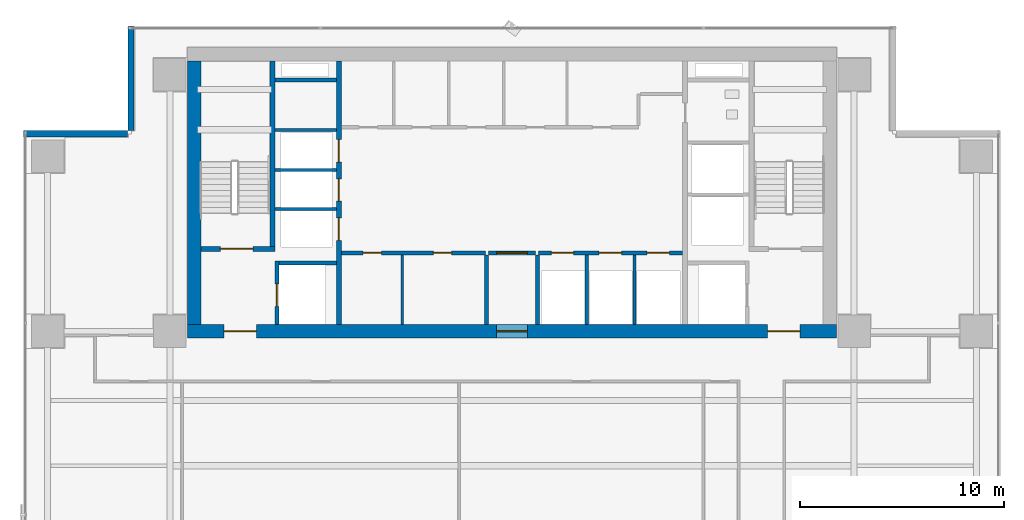
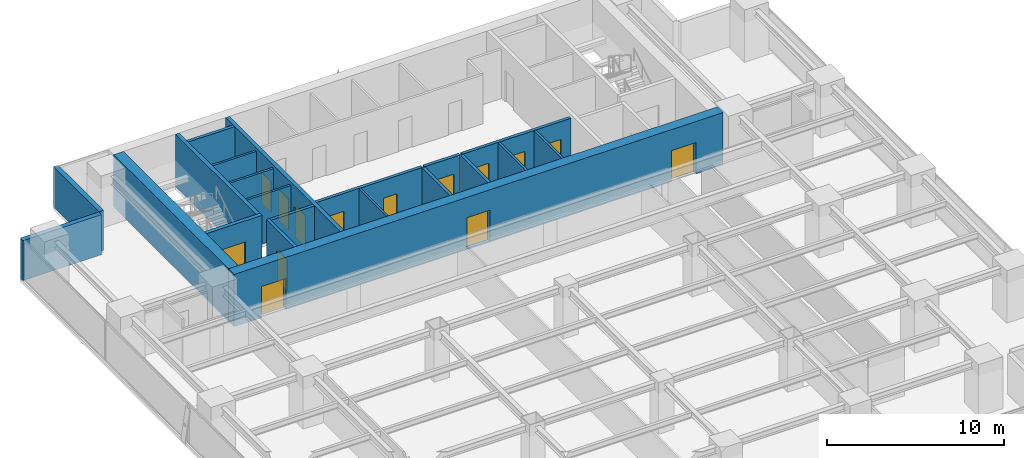
# One storey, part 21 of 27: 21 walls, 14 doors, 14 openings.
"""IFC4 building model written with IfcOpenShell, lengths in metres."""

from ifc_helpers import new_model, si_unit, direction, frame, frame_2d, origin, place, context, subcontext, project, spatial, rectangle, extrude, source, transform, mapped, material, layer, layer_set, type_object, element, fill, save


model = new_model("IFC4")

# Units and contexts
model_context = context("Model", 3, precision=1e-05, world=origin(), true_north=direction((0.0, 1.0)))
body_context = subcontext(model_context, "Body", "Model", "MODEL_VIEW")
ifc_project = project(units=[si_unit("LENGTHUNIT", "METRE"), si_unit("AREAUNIT", "SQUARE_METRE"), si_unit("VOLUMEUNIT", "CUBIC_METRE"), si_unit("PLANEANGLEUNIT", "RADIAN"), si_unit("MASSUNIT", "GRAM", prefix="KILO")], contexts=[model_context])

# Site, building, storey
site_placement = place(None, origin())
site = spatial("IfcSite", under=ifc_project, at=site_placement, CompositionType="ELEMENT")
building_placement = place(site_placement, origin())
building = spatial("IfcBuilding", under=site, at=building_placement, Name="Sumidabori Civic Tower", CompositionType="ELEMENT")
storey_placement = place(building_placement, frame((0.0, 0.0, 142.39990234375)))
storey = spatial("IfcBuildingStorey", under=building, at=storey_placement, Name="L36", CompositionType="ELEMENT", Elevation=142.39990234375)

# Walls
ifc_material_1 = material(Name="Concrete C50/60", Category="concrete")
ifc_layer_1 = layer(ifc_material_1, 0.199951171875, Name="Concrete C50/60")
ifc_layer_set_1 = layer_set([ifc_layer_1], Name="Concrete C50/60")
wall_type_1 = type_object("IfcWallType", Name="WL-SHAFT-200", PredefinedType="SHEAR", material=ifc_layer_set_1)
shared_shape_1 = source(origin(), body_context, "Body", "SweptSolid", [
    extrude(rectangle(XDim=2.824951171875, YDim=0.199951171875, at=frame_2d((1.41259765625, 0.0))), origin(), (0.0, 0.0, 1.0), 3.60009765625),
])
wall_1_placement = place(storey_placement, frame((-11.449951171875, 13.550048828125, 0.0), z_axis=(0.0, 0.0, 1.0), x_axis=(1.0, 0.0, 0.0)))
element("IfcWall", 1, at=wall_1_placement, inside=storey, type_object=wall_type_1, Name="Core Shear Wall L36 EL1-N", PredefinedType="SHEAR", context=body_context, shape_type="MappedRepresentation", body=[
    mapped(shared_shape_1, transform((0.0, 0.0, 0.0), x_axis=(1.0, 0.0, 0.0), y_axis=(0.0, 1.0, 0.0), z_axis=(0.0, 0.0, 1.0), scale=1.0)),
])
shared_shape_2 = source(origin(), body_context, "Body", "SweptSolid", [
    extrude(rectangle(XDim=3.02001953125, YDim=0.199951171875, at=frame_2d((1.510009765625, 0.0))), origin(), (0.0, 0.0, 1.0), 3.60009765625),
])
wall_2_placement = place(storey_placement, frame((-11.64501953125, 22.550048828125, 0.0), z_axis=(0.0, 0.0, 1.0), x_axis=(1.0, 0.0, 0.0)))
element("IfcWall", 2, at=wall_2_placement, inside=storey, type_object=wall_type_1, Name="Core Shear Wall L36 RIS1-S", PredefinedType="SHEAR", context=body_context, shape_type="MappedRepresentation", body=[
    mapped(shared_shape_2, transform((0.0, 0.0, 0.0), x_axis=(1.0, 0.0, 0.0), y_axis=(0.0, 1.0, 0.0), z_axis=(0.0, 0.0, 1.0), scale=1.0)),
])

# Wall, openings, doors
ifc_material_2 = material(Name="Concrete C60/75", Category="concrete")
ifc_layer_2 = layer(ifc_material_2, 0.64990234375, Name="Concrete C60/75")
ifc_layer_set_2 = layer_set([ifc_layer_2], Name="Concrete C60/75")
wall_type_2 = type_object("IfcWallType", Name="WL-CORE-650", PredefinedType="SHEAR", material=ifc_layer_set_2)
shared_shape_3 = source(origin(), body_context, "Body", "SweptSolid", [
    extrude(rectangle(XDim=31.85009765625, YDim=0.64990234375, at=frame_2d((15.925048828125, 0.0))), origin(), (0.0, 0.0, 1.0), 3.60009765625),
])
wall_3_placement = place(storey_placement, frame((-15.925048828125, 10.199951171875, 0.0), z_axis=(0.0, 0.0, 1.0), x_axis=(1.0, 0.0, 0.0)))
wall_3 = element("IfcWall", 3, at=wall_3_placement, inside=storey, type_object=wall_type_2, Name="Core Shear Wall L36 S", PredefinedType="SHEAR", context=body_context, shape_type="MappedRepresentation", body=[
    mapped(shared_shape_3, transform((0.0, 0.0, 0.0), x_axis=(1.0, 0.0, 0.0), y_axis=(0.0, 1.0, 0.0), z_axis=(0.0, 0.0, 1.0), scale=1.0)),
])
opening_1_placement = place(wall_3_placement, frame((1.77490234375, 0.0, 0.0)))
opening_1 = element("IfcOpeningElement", 4, at=opening_1_placement, cuts=wall_3, Name="Opening DR-FD4", PredefinedType="OPENING", context=body_context, shape_type="SweptSolid", body=[
    extrude(rectangle(XDim=1.60009765625, YDim=2.14990234375, at=frame_2d((0.800048828125, 1.074951171875))), frame((0.0, 0.3369140625, 0.0), z_axis=(0.0, -1.0, 0.0), x_axis=(1.0, 0.0, 0.0)), (0.0, 0.0, 1.0), 0.673828125),
])
opening_2_placement = place(wall_3_placement, frame((28.47509765625, 0.0, 0.0)))
opening_2 = element("IfcOpeningElement", 5, at=opening_2_placement, cuts=wall_3, Name="Opening DR-FD4", PredefinedType="OPENING", context=body_context, shape_type="SweptSolid", body=[
    extrude(rectangle(XDim=1.60009765625, YDim=2.14990234375, at=frame_2d((0.800048828125, 1.074951171875))), frame((0.0, 0.3369140625, 0.0), z_axis=(0.0, -1.0, 0.0), x_axis=(1.0, 0.0, 0.0)), (0.0, 0.0, 1.0), 0.673828125),
])
opening_3_placement = place(wall_3_placement, frame((15.175048828125, 0.0, 0.0)))
opening_3 = element("IfcOpeningElement", 6, at=opening_3_placement, cuts=wall_3, Name="Opening DR-FD3", PredefinedType="OPENING", context=body_context, shape_type="SweptSolid", body=[
    extrude(rectangle(XDim=1.5, YDim=2.199951171875, at=frame_2d((0.75, 1.10009765625))), frame((0.0, 0.3369140625, 0.0), z_axis=(0.0, -1.0, 0.0), x_axis=(1.0, 0.0, 0.0)), (0.0, 0.0, 1.0), 0.673828125),
])
ifc_material_3 = material(Name="Steel SN490", Category="steel")
door_type_1 = type_object("IfcDoorType", Name="DR-FD4", OperationType="DOUBLE_DOOR_SINGLE_SWING", PredefinedType="DOOR", material=ifc_material_3)
shared_shape_4 = source(origin(), body_context, "Body", "SweptSolid", [
    extrude(rectangle(XDim=1.60009765625, YDim=2.14990234375, at=frame_2d((0.800048828125, 1.074951171875))), frame((0.0, 0.02490234375, 0.0), z_axis=(0.0, -1.0, 0.0), x_axis=(1.0, 0.0, 0.0)), (0.0, 0.0, 1.0), 0.050048828125),
])
door_1_placement = place(opening_1_placement, origin())
door_1 = element("IfcDoor", 7, at=door_1_placement, inside=storey, type_object=door_type_1, Name="Door DR:L36:ELOB-W", OperationType="DOUBLE_DOOR_SINGLE_SWING", OverallHeight=2.14990234375, OverallWidth=1.60009765625, PredefinedType="DOOR", context=body_context, shape_type="MappedRepresentation", body=[
    mapped(shared_shape_4, transform((0.0, 0.0, 0.0), x_axis=(1.0, 0.0, 0.0), y_axis=(0.0, 1.0, 0.0), z_axis=(0.0, 0.0, 1.0), scale=1.0)),
])
fill(opening_1, door_1)
door_2_placement = place(opening_2_placement, origin())
door_2 = element("IfcDoor", 8, at=door_2_placement, inside=storey, type_object=door_type_1, Name="Door DR:L36:ELOB-E", OperationType="DOUBLE_DOOR_SINGLE_SWING", OverallHeight=2.14990234375, OverallWidth=1.60009765625, PredefinedType="DOOR", context=body_context, shape_type="MappedRepresentation", body=[
    mapped(shared_shape_4, transform((0.0, 0.0, 0.0), x_axis=(1.0, 0.0, 0.0), y_axis=(0.0, 1.0, 0.0), z_axis=(0.0, 0.0, 1.0), scale=1.0)),
])
fill(opening_2, door_2)
door_type_2 = type_object("IfcDoorType", Name="DR-FD-DBL", OperationType="DOUBLE_DOOR_SINGLE_SWING", PredefinedType="DOOR", material=ifc_material_3)
shared_shape_5 = source(origin(), body_context, "Body", "SweptSolid", [
    extrude(rectangle(XDim=1.5, YDim=2.199951171875, at=frame_2d((0.75, 1.10009765625))), frame((0.0, 0.02490234375, 0.0), z_axis=(0.0, -1.0, 0.0), x_axis=(1.0, 0.0, 0.0)), (0.0, 0.0, 1.0), 0.050048828125),
])
door_3_placement = place(opening_3_placement, origin())
door_3 = element("IfcDoor", 9, at=door_3_placement, inside=storey, type_object=door_type_2, Name="Door DR:L36:THROAT-OUT", OperationType="DOUBLE_DOOR_SINGLE_SWING", OverallHeight=2.199951171875, OverallWidth=1.5, PredefinedType="DOOR", context=body_context, shape_type="MappedRepresentation", body=[
    mapped(shared_shape_5, transform((0.0, 0.0, 0.0), x_axis=(1.0, 0.0, 0.0), y_axis=(0.0, 1.0, 0.0), z_axis=(0.0, 0.0, 1.0), scale=1.0)),
])
fill(opening_3, door_3)

# Wall
shared_shape_6 = source(origin(), body_context, "Body", "SweptSolid", [
    extrude(rectangle(XDim=12.9501953125, YDim=0.64990234375, at=frame_2d((6.47509765625, 0.0))), origin(), (0.0, 0.0, 1.0), 3.60009765625),
])
wall_4_placement = place(storey_placement, frame((-15.60009765625, 10.52490234375, 0.0), z_axis=(0.0, 0.0, 1.0), x_axis=(0.0, 1.0, 0.0)))
element("IfcWall", 10, at=wall_4_placement, inside=storey, type_object=wall_type_2, Name="Core Shear Wall L36 W", PredefinedType="SHEAR", context=body_context, shape_type="MappedRepresentation", body=[
    mapped(shared_shape_6, transform((0.0, 0.0, 0.0), x_axis=(1.0, 0.0, 0.0), y_axis=(0.0, 1.0, 0.0), z_axis=(0.0, 0.0, 1.0), scale=1.0)),
])

# Wall, openings, doors
ifc_layer_3 = layer(ifc_material_1, 0.25, Name="Concrete C50/60")
ifc_layer_set_3 = layer_set([ifc_layer_3], Name="Concrete C50/60")
wall_type_3 = type_object("IfcWallType", Name="WL-SHAFT-250", PredefinedType="SHEAR", material=ifc_layer_set_3)
shared_shape_7 = source(origin(), body_context, "Body", "SweptSolid", [
    extrude(rectangle(XDim=12.9501953125, YDim=0.25, at=frame_2d((6.47509765625, 0.0))), origin(), (0.0, 0.0, 1.0), 3.60009765625),
])
wall_5_placement = place(storey_placement, frame((-8.5, 10.52490234375, 0.0), z_axis=(0.0, 0.0, 1.0), x_axis=(0.0, 1.0, 0.0)))
wall_5 = element("IfcWall", 11, at=wall_5_placement, inside=storey, type_object=wall_type_3, Name="Core Shear Wall L36 WEB-W", PredefinedType="SHEAR", context=body_context, shape_type="MappedRepresentation", body=[
    mapped(shared_shape_7, transform((0.0, 0.0, 0.0), x_axis=(1.0, 0.0, 0.0), y_axis=(0.0, 1.0, 0.0), z_axis=(0.0, 0.0, 1.0), scale=1.0)),
])
opening_4_placement = place(wall_5_placement, frame((4.14501953125, 0.0, 0.0)))
opening_4 = element("IfcOpeningElement", 12, at=opening_4_placement, cuts=wall_5, Name="Opening LD-1", PredefinedType="OPENING", context=body_context, shape_type="SweptSolid", body=[
    extrude(rectangle(XDim=1.10009765625, YDim=2.14990234375, at=frame_2d((0.550048828125, 1.074951171875))), frame((0.0, 0.136962890625, 0.0), z_axis=(0.0, -1.0, 0.0), x_axis=(1.0, 0.0, 0.0)), (0.0, 0.0, 1.0), 0.27392578125),
])
opening_5_placement = place(wall_5_placement, frame((6.06494140625, 0.0, 0.0)))
opening_5 = element("IfcOpeningElement", 13, at=opening_5_placement, cuts=wall_5, Name="Opening LD-1", PredefinedType="OPENING", context=body_context, shape_type="SweptSolid", body=[
    extrude(rectangle(XDim=1.10009765625, YDim=2.14990234375, at=frame_2d((0.550048828125, 1.074951171875))), frame((0.0, 0.136962890625, 0.0), z_axis=(0.0, -1.0, 0.0), x_axis=(1.0, 0.0, 0.0)), (0.0, 0.0, 1.0), 0.27392578125),
])
opening_6_placement = place(wall_5_placement, frame((7.985107421875, 0.0, 0.0)))
opening_6 = element("IfcOpeningElement", 14, at=opening_6_placement, cuts=wall_5, Name="Opening LD-1", PredefinedType="OPENING", context=body_context, shape_type="SweptSolid", body=[
    extrude(rectangle(XDim=1.10009765625, YDim=2.14990234375, at=frame_2d((0.550048828125, 1.074951171875))), frame((0.0, 0.136962890625, 0.0), z_axis=(0.0, -1.0, 0.0), x_axis=(1.0, 0.0, 0.0)), (0.0, 0.0, 1.0), 0.27392578125),
])
ifc_material_4 = material(Name="Stainless Steel Hairline Finish", Category="steel")
door_type_3 = type_object("IfcDoorType", Name="DR-LD1", OperationType="DOUBLE_DOOR_SLIDING", PredefinedType="DOOR", material=ifc_material_4)
shared_shape_8 = source(origin(), body_context, "Body", "SweptSolid", [
    extrude(rectangle(XDim=1.10009765625, YDim=2.14990234375, at=frame_2d((0.550048828125, 1.074951171875))), frame((0.0, 0.02490234375, 0.0), z_axis=(0.0, -1.0, 0.0), x_axis=(1.0, 0.0, 0.0)), (0.0, 0.0, 1.0), 0.050048828125),
])
door_4_placement = place(opening_4_placement, origin())
door_4 = element("IfcDoor", 15, at=door_4_placement, inside=storey, type_object=door_type_3, Name="Door DR:L36:LD-PLH1", OperationType="DOUBLE_DOOR_SLIDING", OverallHeight=2.14990234375, OverallWidth=1.10009765625, PredefinedType="DOOR", context=body_context, shape_type="MappedRepresentation", body=[
    mapped(shared_shape_8, transform((0.0, 0.0, 0.0), x_axis=(1.0, 0.0, 0.0), y_axis=(0.0, 1.0, 0.0), z_axis=(0.0, 0.0, 1.0), scale=1.0)),
])
fill(opening_4, door_4)
door_5_placement = place(opening_5_placement, origin())
door_5 = element("IfcDoor", 16, at=door_5_placement, inside=storey, type_object=door_type_3, Name="Door DR:L36:LD-PLH2", OperationType="DOUBLE_DOOR_SLIDING", OverallHeight=2.14990234375, OverallWidth=1.10009765625, PredefinedType="DOOR", context=body_context, shape_type="MappedRepresentation", body=[
    mapped(shared_shape_8, transform((0.0, 0.0, 0.0), x_axis=(1.0, 0.0, 0.0), y_axis=(0.0, 1.0, 0.0), z_axis=(0.0, 0.0, 1.0), scale=1.0)),
])
fill(opening_5, door_5)
door_6_placement = place(opening_6_placement, origin())
door_6 = element("IfcDoor", 17, at=door_6_placement, inside=storey, type_object=door_type_3, Name="Door DR:L36:LD-PLH3", OperationType="DOUBLE_DOOR_SLIDING", OverallHeight=2.14990234375, OverallWidth=1.10009765625, PredefinedType="DOOR", context=body_context, shape_type="MappedRepresentation", body=[
    mapped(shared_shape_8, transform((0.0, 0.0, 0.0), x_axis=(1.0, 0.0, 0.0), y_axis=(0.0, 1.0, 0.0), z_axis=(0.0, 0.0, 1.0), scale=1.0)),
])
fill(opening_6, door_6)

# Wall, opening, door
shared_shape_9 = source(origin(), body_context, "Body", "SweptSolid", [
    extrude(rectangle(XDim=3.6298828125, YDim=0.25, at=frame_2d((1.81494140625, 0.0))), origin(), (0.0, 0.0, 1.0), 3.60009765625),
])
wall_6_placement = place(storey_placement, frame((-15.27490234375, 14.25, 0.0), z_axis=(0.0, 0.0, 1.0), x_axis=(1.0, 0.0, 0.0)))
wall_6 = element("IfcWall", 18, at=wall_6_placement, inside=storey, type_object=wall_type_3, Name="Core Shear Wall L36 ST1-S", PredefinedType="SHEAR", context=body_context, shape_type="MappedRepresentation", body=[
    mapped(shared_shape_9, transform((0.0, 0.0, 0.0), x_axis=(1.0, 0.0, 0.0), y_axis=(0.0, 1.0, 0.0), z_axis=(0.0, 0.0, 1.0), scale=1.0)),
])
opening_7_placement = place(wall_6_placement, frame((0.949951171875, 0.0, 0.0)))
opening_7 = element("IfcOpeningElement", 19, at=opening_7_placement, cuts=wall_6, Name="Opening DR-FD4", PredefinedType="OPENING", context=body_context, shape_type="SweptSolid", body=[
    extrude(rectangle(XDim=1.60009765625, YDim=2.14990234375, at=frame_2d((0.800048828125, 1.074951171875))), frame((0.0, 0.136962890625, 0.0), z_axis=(0.0, -1.0, 0.0), x_axis=(1.0, 0.0, 0.0)), (0.0, 0.0, 1.0), 0.27392578125),
])
door_7_placement = place(opening_7_placement, origin())
door_7 = element("IfcDoor", 20, at=door_7_placement, inside=storey, type_object=door_type_1, Name="Door DR:L36:ST1", OperationType="DOUBLE_DOOR_SINGLE_SWING", OverallHeight=2.14990234375, OverallWidth=1.60009765625, PredefinedType="DOOR", context=body_context, shape_type="MappedRepresentation", body=[
    mapped(shared_shape_4, transform((0.0, 0.0, 0.0), x_axis=(1.0, 0.0, 0.0), y_axis=(0.0, 1.0, 0.0), z_axis=(0.0, 0.0, 1.0), scale=1.0)),
])
fill(opening_7, door_7)

# Wall
shared_shape_10 = source(origin(), body_context, "Body", "SweptSolid", [
    extrude(rectangle(XDim=9.10009765625, YDim=0.25, at=frame_2d((4.550048828125, 0.0))), origin(), (0.0, 0.0, 1.0), 3.60009765625),
])
wall_7_placement = place(storey_placement, frame((-11.77001953125, 14.375, 0.0), z_axis=(0.0, 0.0, 1.0), x_axis=(0.0, 1.0, 0.0)))
element("IfcWall", 21, at=wall_7_placement, inside=storey, type_object=wall_type_3, Name="Core Shear Wall L36 ST1-E", PredefinedType="SHEAR", context=body_context, shape_type="MappedRepresentation", body=[
    mapped(shared_shape_10, transform((0.0, 0.0, 0.0), x_axis=(1.0, 0.0, 0.0), y_axis=(0.0, 1.0, 0.0), z_axis=(0.0, 0.0, 1.0), scale=1.0)),
])

# Wall, opening, door
shared_shape_11 = source(origin(), body_context, "Body", "SweptSolid", [
    extrude(rectangle(XDim=3.125, YDim=0.199951171875, at=frame_2d((1.5625, 0.0))), origin(), (0.0, 0.0, 1.0), 3.60009765625),
])
wall_8_placement = place(storey_placement, frame((-11.550048828125, 10.52490234375, 0.0), z_axis=(0.0, 0.0, 1.0), x_axis=(0.0, 1.0, 0.0)))
wall_8 = element("IfcWall", 22, at=wall_8_placement, inside=storey, type_object=wall_type_1, Name="Core Shear Wall L36 EL1-W", PredefinedType="SHEAR", context=body_context, shape_type="MappedRepresentation", body=[
    mapped(shared_shape_11, transform((0.0, 0.0, 0.0), x_axis=(1.0, 0.0, 0.0), y_axis=(0.0, 1.0, 0.0), z_axis=(0.0, 0.0, 1.0), scale=1.0)),
])
opening_8_placement = place(wall_8_placement, frame((0.89990234375, 0.0, 0.0)))
opening_8 = element("IfcOpeningElement", 23, at=opening_8_placement, cuts=wall_8, Name="Opening LD-2", PredefinedType="OPENING", context=body_context, shape_type="SweptSolid", body=[
    extrude(rectangle(XDim=1.10009765625, YDim=2.14990234375, at=frame_2d((0.550048828125, 1.074951171875))), frame((0.0, 0.11181640625, 0.0), z_axis=(0.0, -1.0, 0.0), x_axis=(1.0, 0.0, 0.0)), (0.0, 0.0, 1.0), 0.223876953125),
])
door_type_4 = type_object("IfcDoorType", Name="DR-LD2", OperationType="DOUBLE_DOOR_SLIDING", PredefinedType="DOOR", material=ifc_material_4)
door_8_placement = place(opening_8_placement, origin())
door_8 = element("IfcDoor", 24, at=door_8_placement, inside=storey, type_object=door_type_4, Name="Door DR:L36:LD-EL1", OperationType="DOUBLE_DOOR_SLIDING", OverallHeight=2.14990234375, OverallWidth=1.10009765625, PredefinedType="DOOR", context=body_context, shape_type="MappedRepresentation", body=[
    mapped(shared_shape_8, transform((0.0, 0.0, 0.0), x_axis=(1.0, 0.0, 0.0), y_axis=(0.0, 1.0, 0.0), z_axis=(0.0, 0.0, 1.0), scale=1.0)),
])
fill(opening_8, door_8)

# Walls
ifc_material_5 = material(Name="Precast concrete C40/50", Category="concrete")
ifc_layer_4 = layer(ifc_material_5, 0.300048828125, Name="Precast concrete C40/50")
ifc_layer_set_4 = layer_set([ifc_layer_4], Name="Precast concrete C40/50")
wall_type_4 = type_object("IfcWallType", Name="WL-EXT-POD300", PredefinedType="STANDARD", material=ifc_layer_set_4)
shared_shape_12 = source(origin(), body_context, "Body", "SweptSolid", [
    extrude(rectangle(XDim=5.10986328125, YDim=0.300048828125, at=frame_2d((2.554931640625, 0.0))), origin(), (0.0, 0.0, 1.0), 2.760009765625),
])
for number, where, z_axis, x_axis, name in (
    (25, (-18.699951171875, 25.179931640625, 0.0), (0.0, 0.0, 1.0), (0.0, -1.0, 0.0), "Notched Corner Spandrel Band L36-08"),
    (26, (-18.8701171875, 19.89990234375, 0.0), (0.0, 0.0, 1.0), (-1.0, 0.0, 0.0), "Notched Corner Spandrel Band L36-09"),
):
    element("IfcWall", number, at=place(storey_placement, frame(where, z_axis=z_axis, x_axis=x_axis)), inside=storey, type_object=wall_type_4, Name=name, PredefinedType="STANDARD", context=body_context, shape_type="MappedRepresentation", body=[
        mapped(shared_shape_12, transform((0.0, 0.0, 0.0), x_axis=(1.0, 0.0, 0.0), y_axis=(0.0, 1.0, 0.0), z_axis=(0.0, 0.0, 1.0), scale=1.0)),
    ])
ifc_material_6 = material(Name="Gypsum Plasterboard Acoustic Partition")
ifc_layer_5 = layer(ifc_material_6, 0.14990234375, Name="Gypsum Plasterboard Acoustic Partition")
ifc_layer_set_5 = layer_set([ifc_layer_5], Name="Gypsum Plasterboard Acoustic Partition")
wall_type_5 = type_object("IfcWallType", Name="WL-PART-150", PredefinedType="PARTITIONING", material=ifc_layer_set_5)
shared_shape_13 = source(origin(), body_context, "Body", "SweptSolid", [
    extrude(rectangle(XDim=3.010009765625, YDim=0.14990234375, at=frame_2d((1.5048828125, 0.0))), origin(), (0.0, 0.0, 1.0), 3.380126953125),
])
for number, where, z_axis, x_axis, name in (
    (27, (-11.639892578125, 16.199951171875, 0.0), (0.0, 0.0, 1.0), (1.0, 0.0, 0.0), "Interior Partition WL:L36:DIV-PLH1"),
    (28, (-11.639892578125, 18.1201171875, 0.0), (0.0, 0.0, 1.0), (1.0, 0.0, 0.0), "Interior Partition WL:L36:DIV-PLH2"),
    (29, (-11.639892578125, 20.080078125, 0.0), (0.0, 0.0, 1.0), (1.0, 0.0, 0.0), "Interior Partition WL:L36:DIV-PLH3"),
):
    element("IfcWall", number, at=place(storey_placement, frame(where, z_axis=z_axis, x_axis=x_axis)), inside=storey, type_object=wall_type_5, Name=name, PredefinedType="PARTITIONING", context=body_context, shape_type="MappedRepresentation", body=[
        mapped(shared_shape_13, transform((0.0, 0.0, 0.0), x_axis=(1.0, 0.0, 0.0), y_axis=(0.0, 1.0, 0.0), z_axis=(0.0, 0.0, 1.0), scale=1.0)),
    ])

# Wall, openings, doors
ifc_material_7 = material(Name="Gypsum Plasterboard Fire Partition")
ifc_layer_6 = layer(ifc_material_7, 0.199951171875, Name="Gypsum Plasterboard Fire Partition")
ifc_layer_set_6 = layer_set([ifc_layer_6], Name="Gypsum Plasterboard Fire Partition")
wall_type_6 = type_object("IfcWallType", Name="WL-PART-FIRE", PredefinedType="PARTITIONING", material=ifc_layer_set_6)
shared_shape_14 = source(origin(), body_context, "Body", "SweptSolid", [
    extrude(rectangle(XDim=7.070068359375, YDim=0.199951171875, at=frame_2d((3.53515625, 0.0))), origin(), (0.0, 0.0, 1.0), 3.380126953125),
])
wall_9_placement = place(storey_placement, frame((-8.3701171875, 14.050048828125, 0.0), z_axis=(0.0, 0.0, 1.0), x_axis=(1.0, 0.0, 0.0)))
wall_9 = element("IfcWall", 30, at=wall_9_placement, inside=storey, type_object=wall_type_6, Name="Interior Partition WL:L36:CBAND-SW", PredefinedType="PARTITIONING", context=body_context, shape_type="MappedRepresentation", body=[
    mapped(shared_shape_14, transform((0.0, 0.0, 0.0), x_axis=(1.0, 0.0, 0.0), y_axis=(0.0, 1.0, 0.0), z_axis=(0.0, 0.0, 1.0), scale=1.0)),
])
opening_9_placement = place(wall_9_placement, frame((1.06005859375, 0.0, 0.0)))
opening_9 = element("IfcOpeningElement", 31, at=opening_9_placement, cuts=wall_9, Name="Opening DR-1", PredefinedType="OPENING", context=body_context, shape_type="SweptSolid", body=[
    extrude(rectangle(XDim=0.89990234375, YDim=2.14990234375, at=frame_2d((0.449951171875, 1.074951171875))), frame((0.0, 0.11181640625, 0.0), z_axis=(0.0, -1.0, 0.0), x_axis=(1.0, 0.0, 0.0)), (0.0, 0.0, 1.0), 0.223876953125),
])
opening_10_placement = place(wall_9_placement, frame((4.510009765625, 0.0, 0.0)))
opening_10 = element("IfcOpeningElement", 32, at=opening_10_placement, cuts=wall_9, Name="Opening DR-1", PredefinedType="OPENING", context=body_context, shape_type="SweptSolid", body=[
    extrude(rectangle(XDim=0.89990234375, YDim=2.14990234375, at=frame_2d((0.449951171875, 1.074951171875))), frame((0.0, 0.11181640625, 0.0), z_axis=(0.0, -1.0, 0.0), x_axis=(1.0, 0.0, 0.0)), (0.0, 0.0, 1.0), 0.223876953125),
])
ifc_material_8 = material(Name="Japanese Hinoki Timber", Category="wood")
door_type_5 = type_object("IfcDoorType", Name="DR-INT-900", OperationType="NOTDEFINED", PredefinedType="DOOR", material=ifc_material_8)
shared_shape_15 = source(origin(), body_context, "Body", "SweptSolid", [
    extrude(rectangle(XDim=0.89990234375, YDim=2.14990234375, at=frame_2d((0.449951171875, 1.074951171875))), frame((0.0, 0.02490234375, 0.0), z_axis=(0.0, -1.0, 0.0), x_axis=(1.0, 0.0, 0.0)), (0.0, 0.0, 1.0), 0.050048828125),
])
door_9_placement = place(opening_9_placement, origin())
door_9 = element("IfcDoor", 33, at=door_9_placement, inside=storey, type_object=door_type_5, Name="Door DR:L36:REC-B1A", OperationType="SINGLE_SWING_LEFT", OverallHeight=2.14990234375, OverallWidth=0.89990234375, PredefinedType="DOOR", context=body_context, shape_type="MappedRepresentation", body=[
    mapped(shared_shape_15, transform((0.0, 0.0, 0.0), x_axis=(1.0, 0.0, 0.0), y_axis=(0.0, 1.0, 0.0), z_axis=(0.0, 0.0, 1.0), scale=1.0)),
])
fill(opening_9, door_9)
door_10_placement = place(opening_10_placement, origin())
door_10 = element("IfcDoor", 34, at=door_10_placement, inside=storey, type_object=door_type_5, Name="Door DR:L36:REC-B1B", OperationType="SINGLE_SWING_RIGHT", OverallHeight=2.14990234375, OverallWidth=0.89990234375, PredefinedType="DOOR", context=body_context, shape_type="MappedRepresentation", body=[
    mapped(shared_shape_15, transform((0.0, 0.0, 0.0), x_axis=(1.0, 0.0, 0.0), y_axis=(0.0, 1.0, 0.0), z_axis=(0.0, 0.0, 1.0), scale=1.0)),
])
fill(opening_10, door_10)

wall_10_placement = place(storey_placement, frame((1.300048828125, 14.050048828125, 0.0), z_axis=(0.0, 0.0, 1.0), x_axis=(1.0, 0.0, 0.0)))
wall_10 = element("IfcWall", 35, at=wall_10_placement, inside=storey, type_object=wall_type_6, Name="Interior Partition WL:L36:CBAND-SE", PredefinedType="PARTITIONING", context=body_context, shape_type="MappedRepresentation", body=[
    mapped(shared_shape_14, transform((0.0, 0.0, 0.0), x_axis=(1.0, 0.0, 0.0), y_axis=(0.0, 1.0, 0.0), z_axis=(0.0, 0.0, 1.0), scale=1.0)),
])
opening_11_placement = place(wall_10_placement, frame((0.6298828125, 0.0, 0.0)))
opening_11 = element("IfcOpeningElement", 36, at=opening_11_placement, cuts=wall_10, Name="Opening LD-1", PredefinedType="OPENING", context=body_context, shape_type="SweptSolid", body=[
    extrude(rectangle(XDim=1.10009765625, YDim=2.14990234375, at=frame_2d((0.550048828125, 1.074951171875))), frame((0.0, 0.11181640625, 0.0), z_axis=(0.0, -1.0, 0.0), x_axis=(1.0, 0.0, 0.0)), (0.0, 0.0, 1.0), 0.223876953125),
])
opening_12_placement = place(wall_10_placement, frame((2.97998046875, 0.0, 0.0)))
opening_12 = element("IfcOpeningElement", 37, at=opening_12_placement, cuts=wall_10, Name="Opening LD-1", PredefinedType="OPENING", context=body_context, shape_type="SweptSolid", body=[
    extrude(rectangle(XDim=1.10009765625, YDim=2.14990234375, at=frame_2d((0.550048828125, 1.074951171875))), frame((0.0, 0.11181640625, 0.0), z_axis=(0.0, -1.0, 0.0), x_axis=(1.0, 0.0, 0.0)), (0.0, 0.0, 1.0), 0.223876953125),
])
opening_13_placement = place(wall_10_placement, frame((5.330078125, 0.0, 0.0)))
opening_13 = element("IfcOpeningElement", 38, at=opening_13_placement, cuts=wall_10, Name="Opening LD-1", PredefinedType="OPENING", context=body_context, shape_type="SweptSolid", body=[
    extrude(rectangle(XDim=1.10009765625, YDim=2.14990234375, at=frame_2d((0.550048828125, 1.074951171875))), frame((0.0, 0.11181640625, 0.0), z_axis=(0.0, -1.0, 0.0), x_axis=(1.0, 0.0, 0.0)), (0.0, 0.0, 1.0), 0.223876953125),
])
door_11_placement = place(opening_11_placement, origin())
door_11 = element("IfcDoor", 39, at=door_11_placement, inside=storey, type_object=door_type_3, Name="Door DR:L36:LD-PLM1", OperationType="DOUBLE_DOOR_SLIDING", OverallHeight=2.14990234375, OverallWidth=1.10009765625, PredefinedType="DOOR", context=body_context, shape_type="MappedRepresentation", body=[
    mapped(shared_shape_8, transform((0.0, 0.0, 0.0), x_axis=(1.0, 0.0, 0.0), y_axis=(0.0, 1.0, 0.0), z_axis=(0.0, 0.0, 1.0), scale=1.0)),
])
fill(opening_11, door_11)
door_12_placement = place(opening_12_placement, origin())
door_12 = element("IfcDoor", 40, at=door_12_placement, inside=storey, type_object=door_type_3, Name="Door DR:L36:LD-PLM2", OperationType="DOUBLE_DOOR_SLIDING", OverallHeight=2.14990234375, OverallWidth=1.10009765625, PredefinedType="DOOR", context=body_context, shape_type="MappedRepresentation", body=[
    mapped(shared_shape_8, transform((0.0, 0.0, 0.0), x_axis=(1.0, 0.0, 0.0), y_axis=(0.0, 1.0, 0.0), z_axis=(0.0, 0.0, 1.0), scale=1.0)),
])
fill(opening_12, door_12)
door_13_placement = place(opening_13_placement, origin())
door_13 = element("IfcDoor", 41, at=door_13_placement, inside=storey, type_object=door_type_3, Name="Door DR:L36:LD-PLM3", OperationType="DOUBLE_DOOR_SLIDING", OverallHeight=2.14990234375, OverallWidth=1.10009765625, PredefinedType="DOOR", context=body_context, shape_type="MappedRepresentation", body=[
    mapped(shared_shape_8, transform((0.0, 0.0, 0.0), x_axis=(1.0, 0.0, 0.0), y_axis=(0.0, 1.0, 0.0), z_axis=(0.0, 0.0, 1.0), scale=1.0)),
])
fill(opening_13, door_13)

# Walls
shared_shape_16 = source(origin(), body_context, "Body", "SweptSolid", [
    extrude(rectangle(XDim=3.4150390625, YDim=0.199951171875, at=frame_2d((1.70751953125, 0.0))), origin(), (0.0, 0.0, 1.0), 3.380126953125),
])
for number, where, z_axis, x_axis, name in (
    (42, (-1.25, 10.52490234375, 0.0), (0.0, 0.0, 1.0), (0.0, 1.0, 0.0), "Interior Partition WL:L36:THROAT-W"),
    (43, (1.25, 10.52490234375, 0.0), (0.0, 0.0, 1.0), (0.0, 1.0, 0.0), "Interior Partition WL:L36:THROAT-E"),
):
    element("IfcWall", number, at=place(storey_placement, frame(where, z_axis=z_axis, x_axis=x_axis)), inside=storey, type_object=wall_type_6, Name=name, PredefinedType="PARTITIONING", context=body_context, shape_type="MappedRepresentation", body=[
        mapped(shared_shape_16, transform((0.0, 0.0, 0.0), x_axis=(1.0, 0.0, 0.0), y_axis=(0.0, 1.0, 0.0), z_axis=(0.0, 0.0, 1.0), scale=1.0)),
    ])

# Wall, opening, door
shared_shape_17 = source(origin(), body_context, "Body", "SweptSolid", [
    extrude(rectangle(XDim=2.2998046875, YDim=0.199951171875, at=frame_2d((1.14990234375, 0.0))), origin(), (0.0, 0.0, 1.0), 3.380126953125),
])
wall_11_placement = place(storey_placement, frame((-1.14990234375, 14.050048828125, 0.0), z_axis=(0.0, 0.0, 1.0), x_axis=(1.0, 0.0, 0.0)))
wall_11 = element("IfcWall", 44, at=wall_11_placement, inside=storey, type_object=wall_type_6, Name="Interior Partition WL:L36:THROAT-N", PredefinedType="PARTITIONING", context=body_context, shape_type="MappedRepresentation", body=[
    mapped(shared_shape_17, transform((0.0, 0.0, 0.0), x_axis=(1.0, 0.0, 0.0), y_axis=(0.0, 1.0, 0.0), z_axis=(0.0, 0.0, 1.0), scale=1.0)),
])
opening_14_placement = place(wall_11_placement, frame((0.39990234375, 0.0, 0.0)))
opening_14 = element("IfcOpeningElement", 45, at=opening_14_placement, cuts=wall_11, Name="Opening DR-FD3", PredefinedType="OPENING", context=body_context, shape_type="SweptSolid", body=[
    extrude(rectangle(XDim=1.5, YDim=2.199951171875, at=frame_2d((0.75, 1.10009765625))), frame((0.0, 0.11181640625, 0.0), z_axis=(0.0, -1.0, 0.0), x_axis=(1.0, 0.0, 0.0)), (0.0, 0.0, 1.0), 0.223876953125),
])
door_14_placement = place(opening_14_placement, origin())
door_14 = element("IfcDoor", 46, at=door_14_placement, inside=storey, type_object=door_type_2, Name="Door DR:L36:THROAT-IN", OperationType="DOUBLE_DOOR_SINGLE_SWING", OverallHeight=2.199951171875, OverallWidth=1.5, PredefinedType="DOOR", context=body_context, shape_type="MappedRepresentation", body=[
    mapped(shared_shape_5, transform((0.0, 0.0, 0.0), x_axis=(1.0, 0.0, 0.0), y_axis=(0.0, 1.0, 0.0), z_axis=(0.0, 0.0, 1.0), scale=1.0)),
])
fill(opening_14, door_14)

# Walls
ifc_layer_7 = layer(ifc_material_6, 0.1201171875, Name="Gypsum Plasterboard Acoustic Partition")
ifc_layer_set_7 = layer_set([ifc_layer_7], Name="Gypsum Plasterboard Acoustic Partition")
wall_type_7 = type_object("IfcWallType", Name="WL-PART-120", PredefinedType="PARTITIONING", material=ifc_layer_set_7)
shared_shape_18 = source(origin(), body_context, "Body", "SweptSolid", [
    extrude(rectangle(XDim=3.4150390625, YDim=0.1201171875, at=frame_2d((1.70751953125, 0.0))), origin(), (0.0, 0.0, 1.0), 3.380126953125),
])
wall_12_placement = place(storey_placement, frame((-5.39990234375, 10.52490234375, 0.0), z_axis=(0.0, 0.0, 1.0), x_axis=(0.0, 1.0, 0.0)))
element("IfcWall", 47, at=wall_12_placement, inside=storey, type_object=wall_type_7, Name="Interior Partition WL:L36:REC-B1-SP", PredefinedType="PARTITIONING", context=body_context, shape_type="MappedRepresentation", body=[
    mapped(shared_shape_18, transform((0.0, 0.0, 0.0), x_axis=(1.0, 0.0, 0.0), y_axis=(0.0, 1.0, 0.0), z_axis=(0.0, 0.0, 1.0), scale=1.0)),
])
shared_shape_19 = source(origin(), body_context, "Body", "SweptSolid", [
    extrude(rectangle(XDim=3.4150390625, YDim=0.14990234375, at=frame_2d((1.70751953125, 0.0))), origin(), (0.0, 0.0, 1.0), 3.380126953125),
])
for number, where, z_axis, x_axis, name in (
    (48, (3.669921875, 10.52490234375, 0.0), (0.0, 0.0, 1.0), (0.0, 1.0, 0.0), "Interior Partition WL:L36:DIV-PLM1"),
    (49, (6.02001953125, 10.52490234375, 0.0), (0.0, 0.0, 1.0), (0.0, 1.0, 0.0), "Interior Partition WL:L36:DIV-PLM2"),
):
    element("IfcWall", number, at=place(storey_placement, frame(where, z_axis=z_axis, x_axis=x_axis)), inside=storey, type_object=wall_type_5, Name=name, PredefinedType="PARTITIONING", context=body_context, shape_type="MappedRepresentation", body=[
        mapped(shared_shape_19, transform((0.0, 0.0, 0.0), x_axis=(1.0, 0.0, 0.0), y_axis=(0.0, 1.0, 0.0), z_axis=(0.0, 0.0, 1.0), scale=1.0)),
    ])

save(model, "model.ifc")
